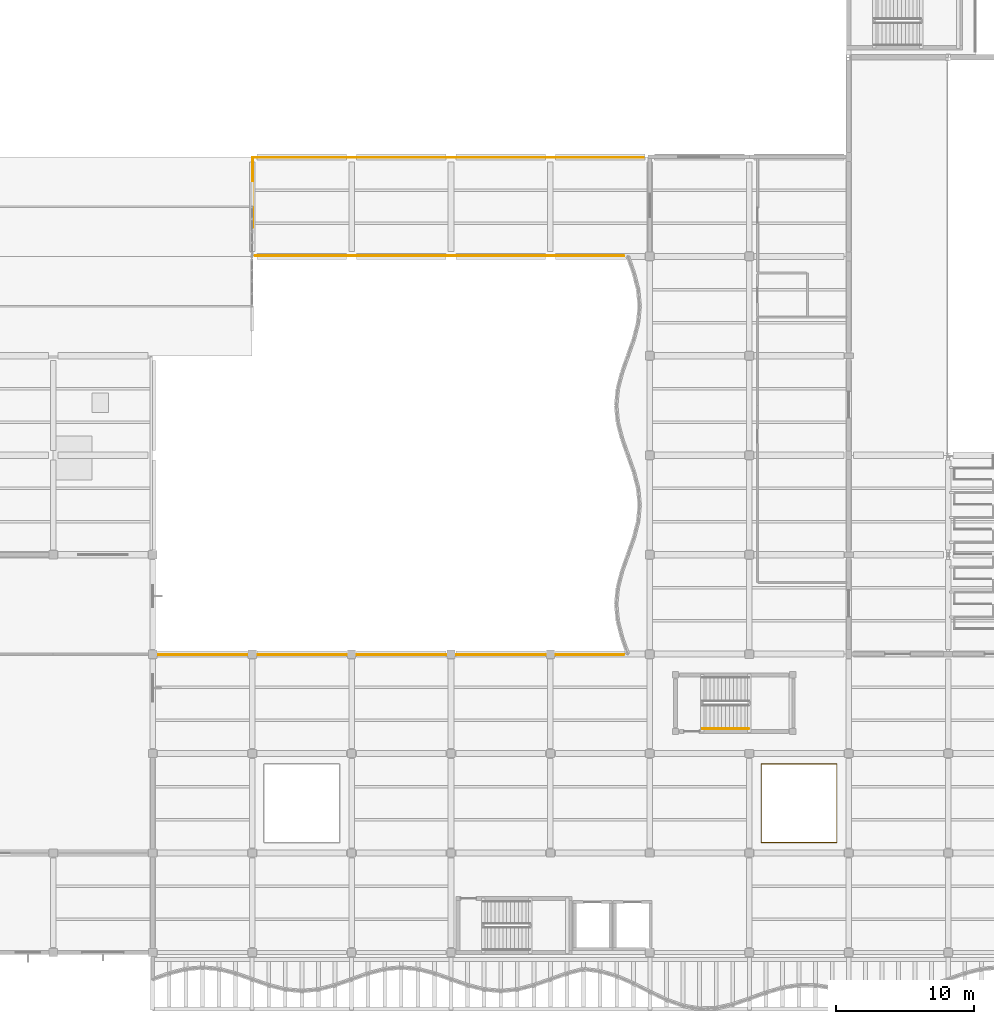
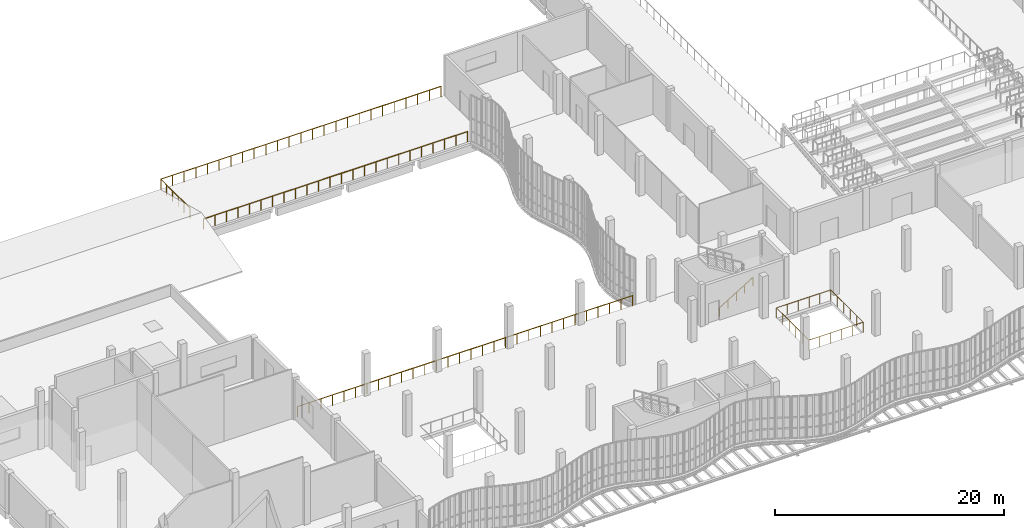
# One storey, part 97 of 105: 5 railings.
"""IFC4 building model written with IfcOpenShell, lengths in metres."""

from ifc_helpers import new_model, si_unit, direction, frame, origin, origin_2d, place, context, subcontext, project, spatial, circle, extrude, material, type_object, element, save


model = new_model("IFC4")

# Units and contexts
model_context = context("Model", 3, precision=1e-05, world=origin(), true_north=direction((0.0, 1.0)))
body_context = subcontext(model_context, "Body", "Model", "MODEL_VIEW")
ifc_project = project(units=[si_unit("LENGTHUNIT", "METRE"), si_unit("AREAUNIT", "SQUARE_METRE"), si_unit("VOLUMEUNIT", "CUBIC_METRE"), si_unit("PLANEANGLEUNIT", "RADIAN"), si_unit("MASSUNIT", "GRAM", prefix="KILO"), si_unit("THERMODYNAMICTEMPERATUREUNIT", "KELVIN"), si_unit("POWERUNIT", "WATT")], contexts=[model_context])

# Site, building, storey
site_placement = place(None, origin())
site = spatial("IfcSite", under=ifc_project, at=site_placement, CompositionType="ELEMENT")
building_placement = place(site_placement, origin())
building = spatial("IfcBuilding", under=site, at=building_placement, Name="Kaldorven Railside Theatre", CompositionType="ELEMENT")
storey_placement = place(building_placement, frame((0.0, 0.0, 9.89990234375)))
storey = spatial("IfcBuildingStorey", under=building, at=storey_placement, Name="L02", CompositionType="ELEMENT", Elevation=9.89990234375)

# Railings
ifc_material_1 = material(Name="Anodised bronze aluminium", Category="aluminium")
railing_type_1 = type_object("IfcRailingType", Name="RLG-BAL-1100", PredefinedType="BALUSTRADE", material=ifc_material_1)
railing_1_placement = place(storey_placement, frame((37.07666015625, 40.760009765625, 0.0)))
element("IfcRailing", 1, at=railing_1_placement, inside=storey, type_object=railing_type_1, Name="L02 Safety Balustrade GR-094", PredefinedType="BALUSTRADE", context=body_context, shape_type="SweptSolid", body=[
    extrude(circle(Radius=0.02392578125, at=origin_2d()), frame((0.0, 0.0, 1.09619140625), z_axis=(1.0, 0.0, 0.0), x_axis=(0.0, 1.0, 0.0)), (0.0, 0.0, 1.0), 33.84033203125),
    extrude(circle(Radius=0.02099609375, at=origin_2d()), origin(), (0.0, 0.0, 1.0), 1.072021484375),
    extrude(circle(Radius=0.02099609375, at=origin_2d()), frame((1.1669921875, 0.0, 0.0)), (0.0, 0.0, 1.0), 1.072021484375),
    extrude(circle(Radius=0.02099609375, at=origin_2d()), frame((2.333740234375, 0.0, 0.0)), (0.0, 0.0, 1.0), 1.072021484375),
    extrude(circle(Radius=0.02099609375, at=origin_2d()), frame((3.500732421875, 0.0, 0.0)), (0.0, 0.0, 1.0), 1.072021484375),
    extrude(circle(Radius=0.02099609375, at=origin_2d()), frame((4.667724609375, 0.0, 0.0)), (0.0, 0.0, 1.0), 1.072021484375),
    extrude(circle(Radius=0.02099609375, at=origin_2d()), frame((5.83447265625, 0.0, 0.0)), (0.0, 0.0, 1.0), 1.072021484375),
    extrude(circle(Radius=0.02099609375, at=origin_2d()), frame((7.00146484375, 0.0, 0.0)), (0.0, 0.0, 1.0), 1.072021484375),
    extrude(circle(Radius=0.02099609375, at=origin_2d()), frame((8.16845703125, 0.0, 0.0)), (0.0, 0.0, 1.0), 1.072021484375),
    extrude(circle(Radius=0.02099609375, at=origin_2d()), frame((9.335205078125, 0.0, 0.0)), (0.0, 0.0, 1.0), 1.072021484375),
    extrude(circle(Radius=0.02099609375, at=origin_2d()), frame((10.502197265625, 0.0, 0.0)), (0.0, 0.0, 1.0), 1.072021484375),
    extrude(circle(Radius=0.02099609375, at=origin_2d()), frame((11.669189453125, 0.0, 0.0)), (0.0, 0.0, 1.0), 1.072021484375),
    extrude(circle(Radius=0.02099609375, at=origin_2d()), frame((12.8359375, 0.0, 0.0)), (0.0, 0.0, 1.0), 1.072021484375),
    extrude(circle(Radius=0.02099609375, at=origin_2d()), frame((14.0029296875, 0.0, 0.0)), (0.0, 0.0, 1.0), 1.072021484375),
    extrude(circle(Radius=0.02099609375, at=origin_2d()), frame((15.169921875, 0.0, 0.0)), (0.0, 0.0, 1.0), 1.072021484375),
    extrude(circle(Radius=0.02099609375, at=origin_2d()), frame((16.336669921875, 0.0, 0.0)), (0.0, 0.0, 1.0), 1.072021484375),
    extrude(circle(Radius=0.02099609375, at=origin_2d()), frame((17.503662109375, 0.0, 0.0)), (0.0, 0.0, 1.0), 1.072021484375),
    extrude(circle(Radius=0.02099609375, at=origin_2d()), frame((18.67041015625, 0.0, 0.0)), (0.0, 0.0, 1.0), 1.072021484375),
    extrude(circle(Radius=0.02099609375, at=origin_2d()), frame((19.83740234375, 0.0, 0.0)), (0.0, 0.0, 1.0), 1.072021484375),
    extrude(circle(Radius=0.02099609375, at=origin_2d()), frame((21.00439453125, 0.0, 0.0)), (0.0, 0.0, 1.0), 1.072021484375),
    extrude(circle(Radius=0.02099609375, at=origin_2d()), frame((22.171142578125, 0.0, 0.0)), (0.0, 0.0, 1.0), 1.072021484375),
    extrude(circle(Radius=0.02099609375, at=origin_2d()), frame((23.338134765625, 0.0, 0.0)), (0.0, 0.0, 1.0), 1.072021484375),
    extrude(circle(Radius=0.02099609375, at=origin_2d()), frame((24.505126953125, 0.0, 0.0)), (0.0, 0.0, 1.0), 1.072021484375),
    extrude(circle(Radius=0.02099609375, at=origin_2d()), frame((25.671875, 0.0, 0.0)), (0.0, 0.0, 1.0), 1.072021484375),
    extrude(circle(Radius=0.02099609375, at=origin_2d()), frame((26.8388671875, 0.0, 0.0)), (0.0, 0.0, 1.0), 1.072021484375),
    extrude(circle(Radius=0.02099609375, at=origin_2d()), frame((28.005859375, 0.0, 0.0)), (0.0, 0.0, 1.0), 1.072021484375),
    extrude(circle(Radius=0.02099609375, at=origin_2d()), frame((29.172607421875, 0.0, 0.0)), (0.0, 0.0, 1.0), 1.072021484375),
    extrude(circle(Radius=0.02099609375, at=origin_2d()), frame((30.339599609375, 0.0, 0.0)), (0.0, 0.0, 1.0), 1.072021484375),
    extrude(circle(Radius=0.02099609375, at=origin_2d()), frame((31.506591796875, 0.0, 0.0)), (0.0, 0.0, 1.0), 1.072021484375),
    extrude(circle(Radius=0.02099609375, at=origin_2d()), frame((32.67333984375, 0.0, 0.0)), (0.0, 0.0, 1.0), 1.072021484375),
    extrude(circle(Radius=0.02099609375, at=origin_2d()), frame((33.84033203125, 0.0, 0.0)), (0.0, 0.0, 1.0), 1.072021484375),
])
railing_2_placement = place(storey_placement, frame((70.923095703125, 69.639892578125, 0.0)))
element("IfcRailing", 2, at=railing_2_placement, inside=storey, type_object=railing_type_1, Name="L02 Safety Balustrade GR-095", PredefinedType="BALUSTRADE", context=body_context, shape_type="SweptSolid", body=[
    extrude(circle(Radius=0.02392578125, at=origin_2d()), frame((0.0, 0.0, 1.09619140625), z_axis=(-1.0, 0.0, 0.0), x_axis=(0.0, -1.0, 0.0)), (0.0, 0.0, 1.0), 26.693603515625),
    extrude(circle(Radius=0.02099609375, at=origin_2d()), origin(), (0.0, 0.0, 1.0), 1.072021484375),
    extrude(circle(Radius=0.02099609375, at=origin_2d()), frame((-1.16064453125, 0.0, 0.0)), (0.0, 0.0, 1.0), 1.072021484375),
    extrude(circle(Radius=0.02099609375, at=origin_2d()), frame((-2.3212890625, 0.0, 0.0)), (0.0, 0.0, 1.0), 1.072021484375),
    extrude(circle(Radius=0.02099609375, at=origin_2d()), frame((-3.481689453125, 0.0, 0.0)), (0.0, 0.0, 1.0), 1.072021484375),
    extrude(circle(Radius=0.02099609375, at=origin_2d()), frame((-4.642333984375, 0.0, 0.0)), (0.0, 0.0, 1.0), 1.072021484375),
    extrude(circle(Radius=0.02099609375, at=origin_2d()), frame((-5.802978515625, 0.0, 0.0)), (0.0, 0.0, 1.0), 1.072021484375),
    extrude(circle(Radius=0.02099609375, at=origin_2d()), frame((-6.963623046875, 0.0, 0.0)), (0.0, 0.0, 1.0), 1.072021484375),
    extrude(circle(Radius=0.02099609375, at=origin_2d()), frame((-8.1240234375, 0.0, 0.0)), (0.0, 0.0, 1.0), 1.072021484375),
    extrude(circle(Radius=0.02099609375, at=origin_2d()), frame((-9.28466796875, 0.0, 0.0)), (0.0, 0.0, 1.0), 1.072021484375),
    extrude(circle(Radius=0.02099609375, at=origin_2d()), frame((-10.4453125, 0.0, 0.0)), (0.0, 0.0, 1.0), 1.072021484375),
    extrude(circle(Radius=0.02099609375, at=origin_2d()), frame((-11.60595703125, 0.0, 0.0)), (0.0, 0.0, 1.0), 1.072021484375),
    extrude(circle(Radius=0.02099609375, at=origin_2d()), frame((-12.7666015625, 0.0, 0.0)), (0.0, 0.0, 1.0), 1.072021484375),
    extrude(circle(Radius=0.02099609375, at=origin_2d()), frame((-13.927001953125, 0.0, 0.0)), (0.0, 0.0, 1.0), 1.072021484375),
    extrude(circle(Radius=0.02099609375, at=origin_2d()), frame((-15.087646484375, 0.0, 0.0)), (0.0, 0.0, 1.0), 1.072021484375),
    extrude(circle(Radius=0.02099609375, at=origin_2d()), frame((-16.248291015625, 0.0, 0.0)), (0.0, 0.0, 1.0), 1.072021484375),
    extrude(circle(Radius=0.02099609375, at=origin_2d()), frame((-17.408935546875, 0.0, 0.0)), (0.0, 0.0, 1.0), 1.072021484375),
    extrude(circle(Radius=0.02099609375, at=origin_2d()), frame((-18.569580078125, 0.0, 0.0)), (0.0, 0.0, 1.0), 1.072021484375),
    extrude(circle(Radius=0.02099609375, at=origin_2d()), frame((-19.72998046875, 0.0, 0.0)), (0.0, 0.0, 1.0), 1.072021484375),
    extrude(circle(Radius=0.02099609375, at=origin_2d()), frame((-20.890625, 0.0, 0.0)), (0.0, 0.0, 1.0), 1.072021484375),
    extrude(circle(Radius=0.02099609375, at=origin_2d()), frame((-22.05126953125, 0.0, 0.0)), (0.0, 0.0, 1.0), 1.072021484375),
    extrude(circle(Radius=0.02099609375, at=origin_2d()), frame((-23.2119140625, 0.0, 0.0)), (0.0, 0.0, 1.0), 1.072021484375),
    extrude(circle(Radius=0.02099609375, at=origin_2d()), frame((-24.372314453125, 0.0, 0.0)), (0.0, 0.0, 1.0), 1.072021484375),
    extrude(circle(Radius=0.02099609375, at=origin_2d()), frame((-25.532958984375, 0.0, 0.0)), (0.0, 0.0, 1.0), 1.072021484375),
    extrude(circle(Radius=0.02099609375, at=origin_2d()), frame((-26.693603515625, 0.0, 0.0)), (0.0, 0.0, 1.0), 1.072021484375),
])
railing_3_placement = place(storey_placement, frame((44.0400390625, 71.6767578125, 0.0)))
element("IfcRailing", 3, at=railing_3_placement, inside=storey, type_object=railing_type_1, Name="L02 Safety Balustrade GR-096", PredefinedType="BALUSTRADE", context=body_context, shape_type="SweptSolid", body=[
    extrude(circle(Radius=0.02392578125, at=origin_2d()), frame((0.0, 0.0, 1.09619140625), z_axis=(0.0, 1.0, 0.0), x_axis=(-1.0, 0.0, 0.0)), (0.0, 0.0, 1.0), 5.083251953125),
    extrude(circle(Radius=0.02392578125, at=origin_2d()), frame((0.0, 5.083251953125, 1.09619140625), z_axis=(1.0, 0.0, 0.0), x_axis=(0.0, 1.0, 0.0)), (0.0, 0.0, 1.0), 28.29248046875),
    extrude(circle(Radius=0.02099609375, at=origin_2d()), origin(), (0.0, 0.0, 1.0), 1.072021484375),
    extrude(circle(Radius=0.02099609375, at=origin_2d()), frame((0.0, 1.0166015625, 0.0)), (0.0, 0.0, 1.0), 1.072021484375),
    extrude(circle(Radius=0.02099609375, at=origin_2d()), frame((0.0, 2.033203125, 0.0)), (0.0, 0.0, 1.0), 1.072021484375),
    extrude(circle(Radius=0.02099609375, at=origin_2d()), frame((0.0, 3.050048828125, 0.0)), (0.0, 0.0, 1.0), 1.072021484375),
    extrude(circle(Radius=0.02099609375, at=origin_2d()), frame((0.0, 4.066650390625, 0.0)), (0.0, 0.0, 1.0), 1.072021484375),
    extrude(circle(Radius=0.02099609375, at=origin_2d()), frame((0.0, 5.083251953125, 0.0)), (0.0, 0.0, 1.0), 1.072021484375),
    extrude(circle(Radius=0.02099609375, at=origin_2d()), frame((1.178955078125, 5.083251953125, 0.0)), (0.0, 0.0, 1.0), 1.072021484375),
    extrude(circle(Radius=0.02099609375, at=origin_2d()), frame((2.357666015625, 5.083251953125, 0.0)), (0.0, 0.0, 1.0), 1.072021484375),
    extrude(circle(Radius=0.02099609375, at=origin_2d()), frame((3.53662109375, 5.083251953125, 0.0)), (0.0, 0.0, 1.0), 1.072021484375),
    extrude(circle(Radius=0.02099609375, at=origin_2d()), frame((4.71533203125, 5.083251953125, 0.0)), (0.0, 0.0, 1.0), 1.072021484375),
    extrude(circle(Radius=0.02099609375, at=origin_2d()), frame((5.894287109375, 5.083251953125, 0.0)), (0.0, 0.0, 1.0), 1.072021484375),
    extrude(circle(Radius=0.02099609375, at=origin_2d()), frame((7.0732421875, 5.083251953125, 0.0)), (0.0, 0.0, 1.0), 1.072021484375),
    extrude(circle(Radius=0.02099609375, at=origin_2d()), frame((8.251953125, 5.083251953125, 0.0)), (0.0, 0.0, 1.0), 1.072021484375),
    extrude(circle(Radius=0.02099609375, at=origin_2d()), frame((9.430908203125, 5.083251953125, 0.0)), (0.0, 0.0, 1.0), 1.072021484375),
    extrude(circle(Radius=0.02099609375, at=origin_2d()), frame((10.609619140625, 5.083251953125, 0.0)), (0.0, 0.0, 1.0), 1.072021484375),
    extrude(circle(Radius=0.02099609375, at=origin_2d()), frame((11.78857421875, 5.083251953125, 0.0)), (0.0, 0.0, 1.0), 1.072021484375),
    extrude(circle(Radius=0.02099609375, at=origin_2d()), frame((12.96728515625, 5.083251953125, 0.0)), (0.0, 0.0, 1.0), 1.072021484375),
    extrude(circle(Radius=0.02099609375, at=origin_2d()), frame((14.146240234375, 5.083251953125, 0.0)), (0.0, 0.0, 1.0), 1.072021484375),
    extrude(circle(Radius=0.02099609375, at=origin_2d()), frame((15.3251953125, 5.083251953125, 0.0)), (0.0, 0.0, 1.0), 1.072021484375),
    extrude(circle(Radius=0.02099609375, at=origin_2d()), frame((16.50390625, 5.083251953125, 0.0)), (0.0, 0.0, 1.0), 1.072021484375),
    extrude(circle(Radius=0.02099609375, at=origin_2d()), frame((17.682861328125, 5.083251953125, 0.0)), (0.0, 0.0, 1.0), 1.072021484375),
    extrude(circle(Radius=0.02099609375, at=origin_2d()), frame((18.861572265625, 5.083251953125, 0.0)), (0.0, 0.0, 1.0), 1.072021484375),
    extrude(circle(Radius=0.02099609375, at=origin_2d()), frame((20.04052734375, 5.083251953125, 0.0)), (0.0, 0.0, 1.0), 1.072021484375),
    extrude(circle(Radius=0.02099609375, at=origin_2d()), frame((21.21923828125, 5.083251953125, 0.0)), (0.0, 0.0, 1.0), 1.072021484375),
    extrude(circle(Radius=0.02099609375, at=origin_2d()), frame((22.398193359375, 5.083251953125, 0.0)), (0.0, 0.0, 1.0), 1.072021484375),
    extrude(circle(Radius=0.02099609375, at=origin_2d()), frame((23.5771484375, 5.083251953125, 0.0)), (0.0, 0.0, 1.0), 1.072021484375),
    extrude(circle(Radius=0.02099609375, at=origin_2d()), frame((24.755859375, 5.083251953125, 0.0)), (0.0, 0.0, 1.0), 1.072021484375),
    extrude(circle(Radius=0.02099609375, at=origin_2d()), frame((25.934814453125, 5.083251953125, 0.0)), (0.0, 0.0, 1.0), 1.072021484375),
    extrude(circle(Radius=0.02099609375, at=origin_2d()), frame((27.113525390625, 5.083251953125, 0.0)), (0.0, 0.0, 1.0), 1.072021484375),
    extrude(circle(Radius=0.02099609375, at=origin_2d()), frame((28.29248046875, 5.083251953125, 0.0)), (0.0, 0.0, 1.0), 1.072021484375),
])
railing_4_placement = place(storey_placement, frame((80.860107421875, 32.840087890625, 0.0)))
element("IfcRailing", 4, at=railing_4_placement, inside=storey, type_object=railing_type_1, Name="L02 Safety Balustrade GR-101", PredefinedType="BALUSTRADE", context=body_context, shape_type="SweptSolid", body=[
    extrude(circle(Radius=0.02392578125, at=origin_2d()), frame((0.0, 0.0, 1.09619140625), z_axis=(0.0, -1.0, 0.0), x_axis=(1.0, 0.0, 0.0)), (0.0, 0.0, 1.0), 5.68017578125),
    extrude(circle(Radius=0.02392578125, at=origin_2d()), frame((0.0, -5.68017578125, 1.09619140625), z_axis=(1.0, 0.0, 0.0), x_axis=(0.0, 1.0, 0.0)), (0.0, 0.0, 1.0), 5.47998046875),
    extrude(circle(Radius=0.02392578125, at=origin_2d()), frame((5.47998046875, -5.68017578125, 1.09619140625), z_axis=(0.0, 1.0, 0.0), x_axis=(-1.0, 0.0, 0.0)), (0.0, 0.0, 1.0), 5.68017578125),
    extrude(circle(Radius=0.02392578125, at=origin_2d()), frame((5.47998046875, 0.0, 1.09619140625), z_axis=(-1.0, 0.0, 0.0), x_axis=(0.0, -1.0, 0.0)), (0.0, 0.0, 1.0), 5.47998046875),
    extrude(circle(Radius=0.02099609375, at=origin_2d()), origin(), (0.0, 0.0, 1.0), 1.072021484375),
    extrude(circle(Radius=0.02099609375, at=origin_2d()), frame((0.0, -1.135986328125, 0.0)), (0.0, 0.0, 1.0), 1.072021484375),
    extrude(circle(Radius=0.02099609375, at=origin_2d()), frame((0.0, -2.27197265625, 0.0)), (0.0, 0.0, 1.0), 1.072021484375),
    extrude(circle(Radius=0.02099609375, at=origin_2d()), frame((0.0, -3.408203125, 0.0)), (0.0, 0.0, 1.0), 1.072021484375),
    extrude(circle(Radius=0.02099609375, at=origin_2d()), frame((0.0, -4.544189453125, 0.0)), (0.0, 0.0, 1.0), 1.072021484375),
    extrude(circle(Radius=0.02099609375, at=origin_2d()), frame((0.0, -5.68017578125, 0.0)), (0.0, 0.0, 1.0), 1.072021484375),
    extrude(circle(Radius=0.02099609375, at=origin_2d()), frame((1.095947265625, -5.68017578125, 0.0)), (0.0, 0.0, 1.0), 1.072021484375),
    extrude(circle(Radius=0.02099609375, at=origin_2d()), frame((2.19189453125, -5.68017578125, 0.0)), (0.0, 0.0, 1.0), 1.072021484375),
    extrude(circle(Radius=0.02099609375, at=origin_2d()), frame((3.2880859375, -5.68017578125, 0.0)), (0.0, 0.0, 1.0), 1.072021484375),
    extrude(circle(Radius=0.02099609375, at=origin_2d()), frame((4.384033203125, -5.68017578125, 0.0)), (0.0, 0.0, 1.0), 1.072021484375),
    extrude(circle(Radius=0.02099609375, at=origin_2d()), frame((5.47998046875, -5.68017578125, 0.0)), (0.0, 0.0, 1.0), 1.072021484375),
    extrude(circle(Radius=0.02099609375, at=origin_2d()), frame((5.47998046875, -4.544189453125, 0.0)), (0.0, 0.0, 1.0), 1.072021484375),
    extrude(circle(Radius=0.02099609375, at=origin_2d()), frame((5.47998046875, -3.408203125, 0.0)), (0.0, 0.0, 1.0), 1.072021484375),
    extrude(circle(Radius=0.02099609375, at=origin_2d()), frame((5.47998046875, -2.27197265625, 0.0)), (0.0, 0.0, 1.0), 1.072021484375),
    extrude(circle(Radius=0.02099609375, at=origin_2d()), frame((5.47998046875, -1.135986328125, 0.0)), (0.0, 0.0, 1.0), 1.072021484375),
    extrude(circle(Radius=0.02099609375, at=origin_2d()), frame((5.47998046875, 0.0, 0.0)), (0.0, 0.0, 1.0), 1.072021484375),
    extrude(circle(Radius=0.02099609375, at=origin_2d()), frame((4.384033203125, 0.0, 0.0)), (0.0, 0.0, 1.0), 1.072021484375),
    extrude(circle(Radius=0.02099609375, at=origin_2d()), frame((3.2880859375, 0.0, 0.0)), (0.0, 0.0, 1.0), 1.072021484375),
    extrude(circle(Radius=0.02099609375, at=origin_2d()), frame((2.19189453125, 0.0, 0.0)), (0.0, 0.0, 1.0), 1.072021484375),
    extrude(circle(Radius=0.02099609375, at=origin_2d()), frame((1.095947265625, 0.0, 0.0)), (0.0, 0.0, 1.0), 1.072021484375),
])
ifc_material_2 = material(Name="Steel S355", Category="steel")
railing_type_2 = type_object("IfcRailingType", Name="RLG-STH-900", PredefinedType="HANDRAIL", material=ifc_material_2)
railing_5_placement = place(storey_placement, frame((76.60009765625, 35.39990234375, 0.173095703125)))
element("IfcRailing", 5, at=railing_5_placement, inside=storey, type_object=railing_type_2, Name="L02 ST-07 stair handrail 1", PredefinedType="HANDRAIL", context=body_context, shape_type="SweptSolid", body=[
    extrude(circle(Radius=0.02392578125, at=origin_2d()), frame((0.0, 0.0, 0.8759765625), z_axis=(0.850606129759, 0.0, 0.525803396734), x_axis=(0.0, 1.0, 0.0)), (0.0, 0.0, 1.0), 3.949951171875),
    extrude(circle(Radius=0.02099609375, at=origin_2d()), origin(), (0.0, 0.0, 1.0), 0.851806640625),
    extrude(circle(Radius=0.02099609375, at=origin_2d()), frame((0.83984375, 0.0, 0.519287109375)), (0.0, 0.0, 1.0), 0.851806640625),
    extrude(circle(Radius=0.02099609375, at=origin_2d()), frame((1.679931640625, 0.0, 1.03857421875)), (0.0, 0.0, 1.0), 0.851806640625),
    extrude(circle(Radius=0.02099609375, at=origin_2d()), frame((2.52001953125, 0.0, 1.5576171875)), (0.0, 0.0, 1.0), 0.851806640625),
    extrude(circle(Radius=0.02099609375, at=origin_2d()), frame((3.35986328125, 0.0, 2.076904296875)), (0.0, 0.0, 1.0), 0.851806640625),
])

save(model, "model.ifc")
